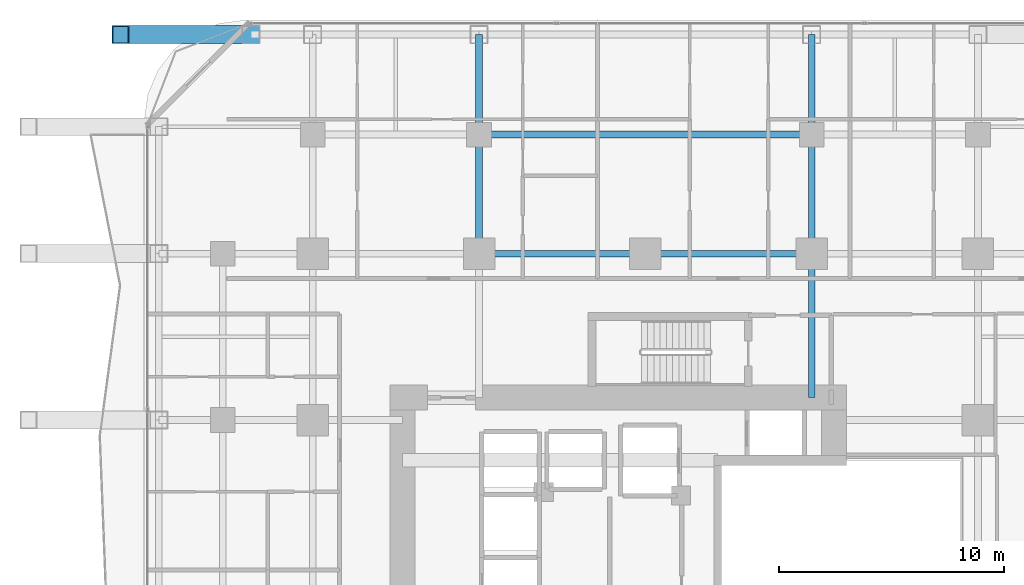
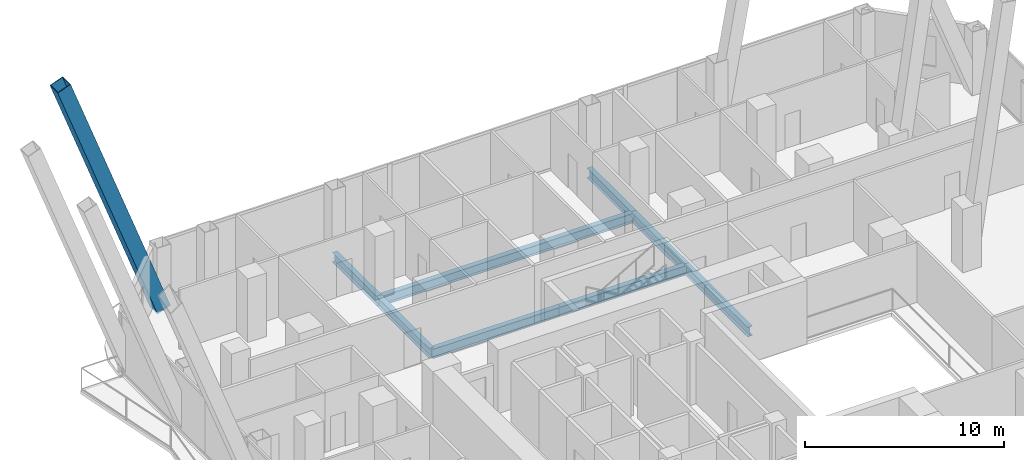
# One storey, part 18 of 33: 8 beams, 1 member.
"""IFC4 building model written with IfcOpenShell, lengths in metres."""

from ifc_helpers import new_model, si_unit, direction, frame, origin, origin_2d, place, context, subcontext, project, spatial, hollow_rectangle, i_section, extrude, material, material_profile, profile_set, type_object, element, save


model = new_model("IFC4")

# Units and contexts
model_context = context("Model", 3, precision=1e-05, world=origin(), true_north=direction((0.0, 1.0)))
body_context = subcontext(model_context, "Body", "Model", "MODEL_VIEW")
ifc_project = project(units=[si_unit("LENGTHUNIT", "METRE"), si_unit("AREAUNIT", "SQUARE_METRE"), si_unit("VOLUMEUNIT", "CUBIC_METRE"), si_unit("PLANEANGLEUNIT", "RADIAN"), si_unit("MASSUNIT", "GRAM", prefix="KILO")], contexts=[model_context])

# Site, building, storey
site_placement = place(None, origin())
site = spatial("IfcSite", under=ifc_project, at=site_placement, CompositionType="ELEMENT")
building_placement = place(site_placement, origin())
building = spatial("IfcBuilding", under=site, at=building_placement, Name="Khorvyn Point Tower", CompositionType="ELEMENT")
storey_placement = place(building_placement, frame((0.0, 0.0, 38.39990234375)))
storey = spatial("IfcBuildingStorey", under=building, at=storey_placement, Name="L10", CompositionType="ELEMENT", Elevation=38.39990234375)

# Beams
ifc_material_1 = material(Name="Steel S355", Category="steel")
ifc_material_profile_1 = material_profile(ifc_material_1, i_section(OverallWidth=0.300048828125, OverallDepth=0.587890625, WebThickness=0.011962890625, FlangeThickness=0.02001953125, at=origin_2d()))
ifc_profile_set_1 = profile_set([ifc_material_profile_1], Name="Steel S355 H588x300x12x20")
beam_type = type_object("IfcBeamType", Name="Steel S355 Beam H588x300x12x20", PredefinedType="BEAM", material=ifc_profile_set_1)
for number, where, z_axis, x_axis, name in (
    (1, (-7.39990234375, 14.800048828125, -0.513916015625), (1.0, 0.0, 0.0), (0.0, 1.0, 0.0), "Beam"),
    (2, (0.0, 14.800048828125, -0.513916015625), (1.0, 0.0, 0.0), (0.0, 1.0, 0.0), "Beam"),
):
    element("IfcBeam", number, at=place(storey_placement, frame(where, z_axis=z_axis, x_axis=x_axis)), inside=storey, type_object=beam_type, Name=name, PredefinedType="BEAM", context=body_context, shape_type="SweptSolid", body=[
        extrude(i_section(OverallWidth=0.300048828125, OverallDepth=0.587890625, WebThickness=0.011962890625, FlangeThickness=0.02001953125, at=origin_2d()), origin(), (0.0, 0.0, 1.0), 7.39990234375),
    ])
beam_1_placement = place(storey_placement, frame((-7.39990234375, 20.10009765625, -0.513916015625), z_axis=(1.0, 0.0, 0.0), x_axis=(0.0, 1.0, 0.0)))
element("IfcBeam", 3, at=beam_1_placement, inside=storey, type_object=beam_type, Name="Beam", PredefinedType="BEAM", context=body_context, shape_type="SweptSolid", body=[
    extrude(i_section(OverallWidth=0.300048828125, OverallDepth=0.587890625, WebThickness=0.011962890625, FlangeThickness=0.02001953125, at=origin_2d()), origin(), (0.0, 0.0, 1.0), 14.7998046875),
])
beam_2_placement = place(storey_placement, frame((-7.39990234375, 14.800048828125, -0.513916015625), z_axis=(0.0, 1.0, 0.0), x_axis=(-1.0, 0.0, 0.0)))
element("IfcBeam", 4, at=beam_2_placement, inside=storey, type_object=beam_type, Name="Beam", PredefinedType="BEAM", context=body_context, shape_type="SweptSolid", body=[
    extrude(i_section(OverallWidth=0.300048828125, OverallDepth=0.587890625, WebThickness=0.011962890625, FlangeThickness=0.02001953125, at=origin_2d()), origin(), (0.0, 0.0, 1.0), 5.300048828125),
])
beam_3_placement = place(storey_placement, frame((-7.39990234375, 20.10009765625, -0.513916015625), z_axis=(0.0, 1.0, 0.0), x_axis=(-1.0, 0.0, 0.0)))
element("IfcBeam", 5, at=beam_3_placement, inside=storey, type_object=beam_type, Name="Beam", PredefinedType="BEAM", context=body_context, shape_type="SweptSolid", body=[
    extrude(i_section(OverallWidth=0.300048828125, OverallDepth=0.587890625, WebThickness=0.011962890625, FlangeThickness=0.02001953125, at=origin_2d()), origin(), (0.0, 0.0, 1.0), 4.449951171875),
])
beam_4_placement = place(storey_placement, frame((7.39990234375, 8.39990234375, -0.513916015625), z_axis=(0.0, 1.0, 0.0), x_axis=(-1.0, 0.0, 0.0)))
element("IfcBeam", 6, at=beam_4_placement, inside=storey, type_object=beam_type, Name="Beam", PredefinedType="BEAM", context=body_context, shape_type="SweptSolid", body=[
    extrude(i_section(OverallWidth=0.300048828125, OverallDepth=0.587890625, WebThickness=0.011962890625, FlangeThickness=0.02001953125, at=origin_2d()), origin(), (0.0, 0.0, 1.0), 6.400146484375),
])
beam_5_placement = place(storey_placement, frame((7.39990234375, 14.800048828125, -0.513916015625), z_axis=(0.0, 1.0, 0.0), x_axis=(-1.0, 0.0, 0.0)))
element("IfcBeam", 7, at=beam_5_placement, inside=storey, type_object=beam_type, Name="Beam", PredefinedType="BEAM", context=body_context, shape_type="SweptSolid", body=[
    extrude(i_section(OverallWidth=0.300048828125, OverallDepth=0.587890625, WebThickness=0.011962890625, FlangeThickness=0.02001953125, at=origin_2d()), origin(), (0.0, 0.0, 1.0), 5.300048828125),
])
beam_6_placement = place(storey_placement, frame((7.39990234375, 20.10009765625, -0.513916015625), z_axis=(0.0, 1.0, 0.0), x_axis=(-1.0, 0.0, 0.0)))
element("IfcBeam", 8, at=beam_6_placement, inside=storey, type_object=beam_type, Name="Beam", PredefinedType="BEAM", context=body_context, shape_type="SweptSolid", body=[
    extrude(i_section(OverallWidth=0.300048828125, OverallDepth=0.587890625, WebThickness=0.011962890625, FlangeThickness=0.02001953125, at=origin_2d()), origin(), (0.0, 0.0, 1.0), 4.449951171875),
])

# Member
ifc_material_2 = material(Name="Steel S450", Category="steel")
ifc_material_profile_2 = material_profile(ifc_material_2, hollow_rectangle(XDim=0.800048828125, YDim=0.800048828125, WallThickness=0.035888671875, at=origin_2d()))
ifc_profile_set_2 = profile_set([ifc_material_profile_2], Name="Steel S450 BOX800x800x36")
member_type = type_object("IfcMemberType", Name="Steel S450 Exoskeleton Structural Post BOX800x800x36", PredefinedType="POST", material=ifc_profile_set_2)
member_placement = place(storey_placement, frame((-17.550048828125, 24.550048828125, 0.0), z_axis=(-0.348488886408, 0.0, 0.937312912559), x_axis=(0.0, -1.0, 0.0)))
element("IfcMember", 9, at=member_placement, inside=storey, type_object=member_type, Name="L10 to L14 Exoskeleton Transfer Post 03", PredefinedType="POST", context=body_context, shape_type="SweptSolid", body=[
    extrude(hollow_rectangle(XDim=0.800048828125, YDim=0.800048828125, WallThickness=0.035888671875, at=origin_2d()), origin(), (0.0, 0.0, 1.0), 16.643310546875),
])

save(model, "model.ifc")
